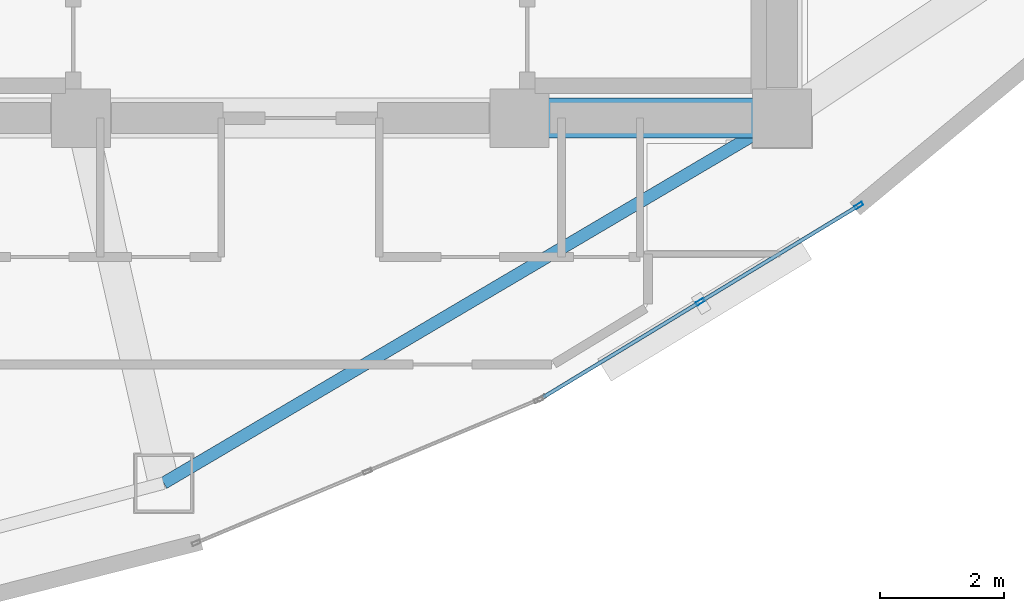
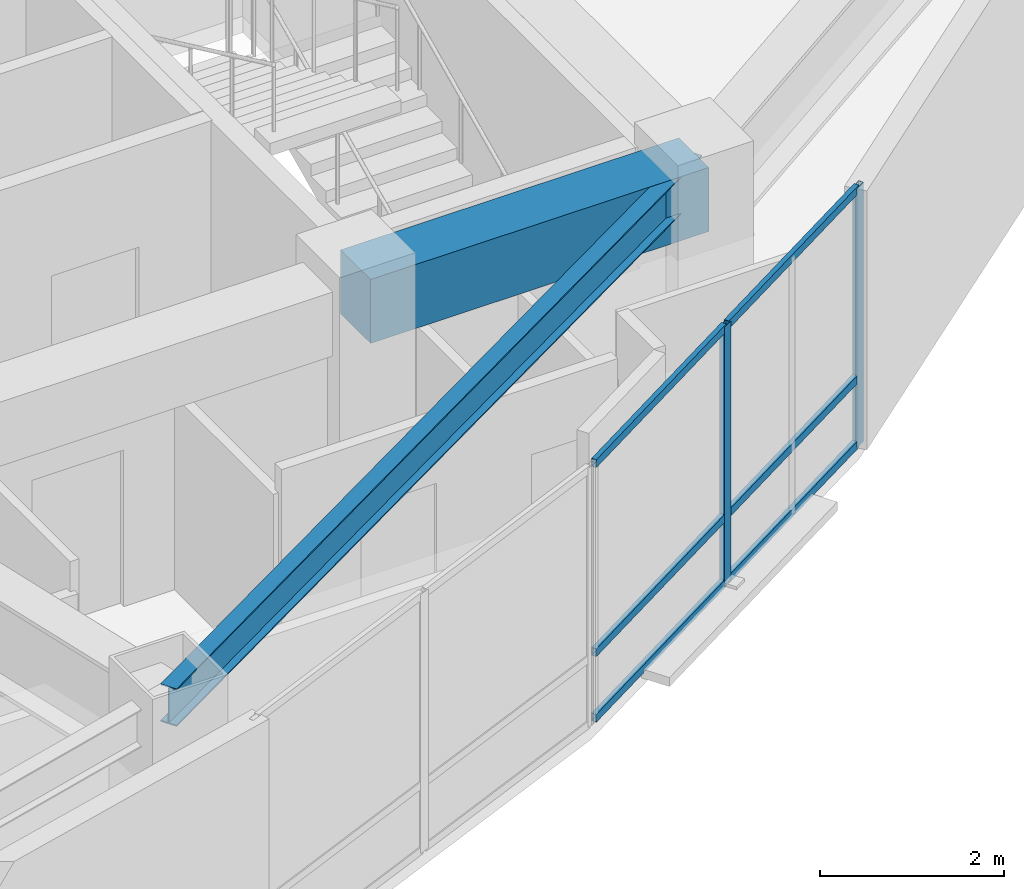
# One storey, part 5 of 15: 8 members, 2 beams, 1 element without a shape of its own.
"""IFC4 building model written with IfcOpenShell, lengths in metres."""

from ifc_helpers import new_model, si_unit, direction, frame, origin, origin_2d, place, context, subcontext, project, spatial, rectangle, hollow_rectangle, i_section, extrude, material, layer, layer_set, material_profile, profile_set, type_object, element, aggregate, save


model = new_model("IFC4")

# Units and contexts
model_context = context("Model", 3, precision=1e-05, world=origin(), true_north=direction((0.0, 1.0)))
body_context = subcontext(model_context, "Body", "Model", "MODEL_VIEW")
ifc_project = project(units=[si_unit("LENGTHUNIT", "METRE"), si_unit("AREAUNIT", "SQUARE_METRE"), si_unit("VOLUMEUNIT", "CUBIC_METRE"), si_unit("PLANEANGLEUNIT", "RADIAN"), si_unit("MASSUNIT", "GRAM", prefix="KILO")], contexts=[model_context])

# Site, building, storey
site_placement = place(None, origin())
site = spatial("IfcSite", under=ifc_project, at=site_placement, CompositionType="ELEMENT")
building_placement = place(site_placement, origin())
building = spatial("IfcBuilding", under=site, at=building_placement, Name="Menara Vayukalpa", CompositionType="ELEMENT")
storey_placement = place(building_placement, frame((0.0, 0.0, 230.699951171875)))
storey = spatial("IfcBuildingStorey", under=building, at=storey_placement, Name="L58", CompositionType="ELEMENT", Elevation=230.699951171875)

# Beams
ifc_material_1 = material(Name="Concrete C60/75", Category="concrete")
ifc_material_profile_1 = material_profile(ifc_material_1, rectangle(XDim=0.64990234375, YDim=0.85009765625, at=origin_2d()), Name="RC 650x850")
ifc_profile_set_1 = profile_set([ifc_material_profile_1], Name="Concrete C60/75")
beam_type_1 = type_object("IfcBeamType", Name="BM-CB1", PredefinedType="BEAM", material=ifc_profile_set_1)
beam_1_placement = place(storey_placement, frame((29.14990234375, 17.199951171875, 3.01513671875), z_axis=(1.0, 0.0, 0.0), x_axis=(0.0, 1.0, 0.0)))
element("IfcBeam", 1, at=beam_1_placement, inside=storey, type_object=beam_type_1, Name="L58 Core Tie Beam CBR3", PredefinedType="BEAM", context=body_context, shape_type="SweptSolid", body=[
    extrude(rectangle(XDim=0.64990234375, YDim=0.85009765625, at=origin_2d()), origin(), (0.0, 0.0, 1.0), 4.25),
])
ifc_material_2 = material(Name="Steel S355", Category="steel")
ifc_material_profile_2 = material_profile(ifc_material_2, i_section(OverallWidth=0.199951171875, OverallDepth=0.5, WebThickness=0.010009765625, FlangeThickness=0.01611328125, at=origin_2d()), Name="WF 500x200x10x16")
ifc_profile_set_2 = profile_set([ifc_material_profile_2], Name="Steel S355")
beam_type_2 = type_object("IfcBeamType", Name="BM-SP3", PredefinedType="SPANDREL", material=ifc_profile_set_2)
beam_2_placement = place(storey_placement, frame((23.389404296875, 11.29150390625, 3.18994140625), z_axis=(0.861184403346, 0.508292655302, 0.0), x_axis=(-0.508292655302, 0.861184403346, 0.0)))
element("IfcBeam", 2, at=beam_2_placement, inside=storey, type_object=beam_type_2, Name="L58 Perimeter Spandrel Beam SP08", PredefinedType="SPANDREL", context=body_context, shape_type="SweptSolid", body=[
    extrude(i_section(OverallWidth=0.199951171875, OverallDepth=0.5, WebThickness=0.010009765625, FlangeThickness=0.01611328125, at=origin_2d()), origin(), (0.0, 0.0, 1.0), 11.6240234375),
])

# Curtain wall, members
ifc_material_3 = material(Name="Anodised Terracotta Aluminium Alloy 6063-T6", Category="masonry")
ifc_layer = layer(ifc_material_3, 0.139892578125)
ifc_layer_set = layer_set([ifc_layer], Name="Anodised Terracotta Aluminium Alloy 6063-T6")
curtain_wall_type = type_object("IfcCurtainWallType", Name="CW-CW5", PredefinedType="USERDEFINED", material=ifc_layer_set)
curtain_wall_placement = place(storey_placement, origin())
curtain_wall = element("IfcCurtainWall", 3, at=curtain_wall_placement, inside=storey, type_object=curtain_wall_type, Name="L58 High Rise Tapered Curtain Wall CW5 17", ObjectType="UNITISED", PredefinedType="USERDEFINED")
ifc_material_4 = material(Name="Anodised Terracotta Aluminium Alloy 6063-T6", Category="masonry")
ifc_material_profile_3 = material_profile(ifc_material_4, hollow_rectangle(XDim=0.06005859375, YDim=0.139892578125, WallThickness=0.00341796875, at=origin_2d()), Name="ALU 60x140x3.5")
ifc_profile_set_3 = profile_set([ifc_material_profile_3], Name="Anodised Terracotta Aluminium Alloy 6063-T6")
member_type_1 = type_object("IfcMemberType", Name="CWM-CW5", PredefinedType="MULLION", material=ifc_profile_set_3)
member_1_placement = place(storey_placement, frame((32.075439453125, 14.226318359375, 0.0), z_axis=(0.0, 0.0, 1.0), x_axis=(-0.519179911779, 0.854664974832, 0.0)))
member_1 = element("IfcMember", 4, at=member_1_placement, type_object=member_type_1, Name="CW5 mullion 2", PredefinedType="MULLION", context=body_context, shape_type="SweptSolid", body=[
    extrude(hollow_rectangle(XDim=0.06005859375, YDim=0.139892578125, WallThickness=0.00341796875, at=origin_2d()), origin(), (0.0, 0.0, 1.0), 3.43994140625),
])
member_2_placement = place(storey_placement, frame((34.6416015625, 15.78515625, 0.0), z_axis=(0.0, 0.0, 1.0), x_axis=(-0.519179911779, 0.854664974832, 0.0)))
member_2 = element("IfcMember", 5, at=member_2_placement, type_object=member_type_1, Name="CW5 mullion 3", PredefinedType="MULLION", context=body_context, shape_type="SweptSolid", body=[
    extrude(hollow_rectangle(XDim=0.06005859375, YDim=0.139892578125, WallThickness=0.00341796875, at=origin_2d()), origin(), (0.0, 0.0, 1.0), 3.43994140625),
])
ifc_material_5 = material(Name="Anodised Terracotta Aluminium Alloy 6063-T6", Category="masonry")
ifc_material_profile_4 = material_profile(ifc_material_5, hollow_rectangle(XDim=0.06005859375, YDim=0.10498046875, WallThickness=0.0029296875, at=origin_2d()), Name="ALU 60x105x3")
ifc_profile_set_4 = profile_set([ifc_material_profile_4], Name="Anodised Terracotta Aluminium Alloy 6063-T6")
member_type_2 = type_object("IfcMemberType", Name="CWT-CW5", PredefinedType="USERDEFINED", material=ifc_profile_set_4)
member_3_placement = place(storey_placement, frame((29.53515625, 12.68310546875, 0.030029296875), z_axis=(0.85466128475, 0.51918598628, 0.0), x_axis=(-0.51918598628, 0.85466128475, 0.0)))
member_3 = element("IfcMember", 6, at=member_3_placement, type_object=member_type_2, Name="CW5 transom 1.1", ObjectType="TRANSOM", PredefinedType="USERDEFINED", context=body_context, shape_type="SweptSolid", body=[
    extrude(hollow_rectangle(XDim=0.06005859375, YDim=0.10498046875, WallThickness=0.0029296875, at=origin_2d()), origin(), (0.0, 0.0, 1.0), 2.9423828125),
])
member_4_placement = place(storey_placement, frame((29.53515625, 12.68310546875, 0.900146484375), z_axis=(0.85466128475, 0.51918598628, 0.0), x_axis=(-0.51918598628, 0.85466128475, 0.0)))
member_4 = element("IfcMember", 7, at=member_4_placement, type_object=member_type_2, Name="CW5 transom 1.2", ObjectType="TRANSOM", PredefinedType="USERDEFINED", context=body_context, shape_type="SweptSolid", body=[
    extrude(hollow_rectangle(XDim=0.06005859375, YDim=0.10498046875, WallThickness=0.0029296875, at=origin_2d()), origin(), (0.0, 0.0, 1.0), 2.9423828125),
])
member_5_placement = place(storey_placement, frame((29.53515625, 12.68310546875, 3.41015625), z_axis=(0.85466128475, 0.51918598628, 0.0), x_axis=(-0.51918598628, 0.85466128475, 0.0)))
member_5 = element("IfcMember", 8, at=member_5_placement, type_object=member_type_2, Name="CW5 transom 1.3", ObjectType="TRANSOM", PredefinedType="USERDEFINED", context=body_context, shape_type="SweptSolid", body=[
    extrude(hollow_rectangle(XDim=0.06005859375, YDim=0.10498046875, WallThickness=0.0029296875, at=origin_2d()), origin(), (0.0, 0.0, 1.0), 2.9423828125),
])
member_6_placement = place(storey_placement, frame((32.10107421875, 14.241943359375, 0.030029296875), z_axis=(0.854683649113, 0.519149169255, 0.0), x_axis=(-0.519149169255, 0.854683649113, 0.0)))
member_6 = element("IfcMember", 9, at=member_6_placement, type_object=member_type_2, Name="CW5 transom 2.1", ObjectType="TRANSOM", PredefinedType="USERDEFINED", context=body_context, shape_type="SweptSolid", body=[
    extrude(hollow_rectangle(XDim=0.06005859375, YDim=0.10498046875, WallThickness=0.0029296875, at=origin_2d()), origin(), (0.0, 0.0, 1.0), 2.9423828125),
])
member_7_placement = place(storey_placement, frame((32.10107421875, 14.241943359375, 0.900146484375), z_axis=(0.854683649113, 0.519149169255, 0.0), x_axis=(-0.519149169255, 0.854683649113, 0.0)))
member_7 = element("IfcMember", 10, at=member_7_placement, type_object=member_type_2, Name="CW5 transom 2.2", ObjectType="TRANSOM", PredefinedType="USERDEFINED", context=body_context, shape_type="SweptSolid", body=[
    extrude(hollow_rectangle(XDim=0.06005859375, YDim=0.10498046875, WallThickness=0.0029296875, at=origin_2d()), origin(), (0.0, 0.0, 1.0), 2.9423828125),
])
member_8_placement = place(storey_placement, frame((32.10107421875, 14.241943359375, 3.41015625), z_axis=(0.854683649113, 0.519149169255, 0.0), x_axis=(-0.519149169255, 0.854683649113, 0.0)))
member_8 = element("IfcMember", 11, at=member_8_placement, type_object=member_type_2, Name="CW5 transom 2.3", ObjectType="TRANSOM", PredefinedType="USERDEFINED", context=body_context, shape_type="SweptSolid", body=[
    extrude(hollow_rectangle(XDim=0.06005859375, YDim=0.10498046875, WallThickness=0.0029296875, at=origin_2d()), origin(), (0.0, 0.0, 1.0), 2.9423828125),
])
aggregate(curtain_wall, [member_1, member_2, member_3, member_4, member_5, member_6, member_7, member_8])

save(model, "model.ifc")
